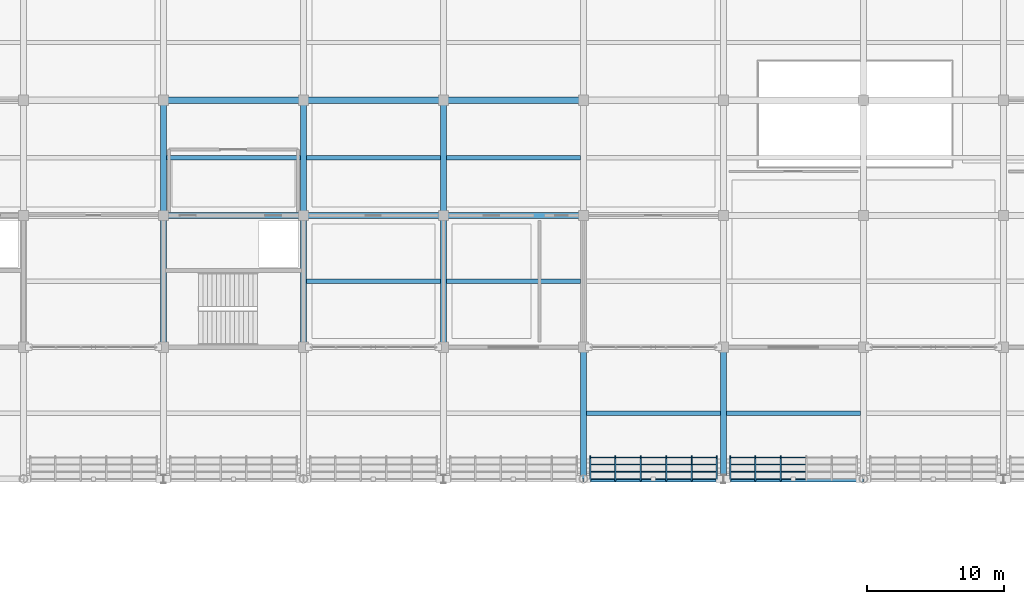
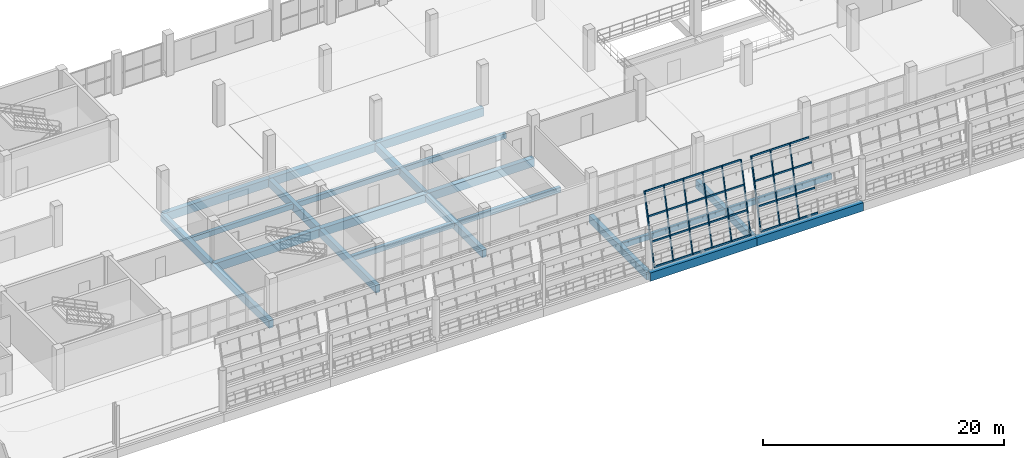
# One storey, part 41 of 157: 41 members, 23 beams, 2 elements without a shape of their own.
"""IFC4 building model written with IfcOpenShell, lengths in metres."""

from ifc_helpers import new_model, si_unit, direction, frame, origin, origin_2d, place, context, subcontext, project, spatial, rectangle, hollow_rectangle, extrude, material, material_profile, profile_set, type_object, element, aggregate, save


model = new_model("IFC4")

# Units and contexts
model_context = context("Model", 3, precision=1e-05, world=origin(), true_north=direction((0.0, 1.0)))
body_context = subcontext(model_context, "Body", "Model", "MODEL_VIEW")
ifc_project = project(units=[si_unit("LENGTHUNIT", "METRE"), si_unit("AREAUNIT", "SQUARE_METRE"), si_unit("VOLUMEUNIT", "CUBIC_METRE"), si_unit("PLANEANGLEUNIT", "RADIAN"), si_unit("MASSUNIT", "GRAM", prefix="KILO")], contexts=[model_context])

# Site, building, storey
site_placement = place(None, origin())
site = spatial("IfcSite", under=ifc_project, at=site_placement, CompositionType="ELEMENT")
building_placement = place(site_placement, origin())
building = spatial("IfcBuilding", under=site, at=building_placement, Name="Brelvane Convention Centre", CompositionType="ELEMENT")
storey_placement = place(building_placement, frame((0.0, 0.0, 10.800048828125)))
storey = spatial("IfcBuildingStorey", under=building, at=storey_placement, Name="L02", CompositionType="ELEMENT", Elevation=10.800048828125)

# Curtain wall, members
ifc_material_1 = material(Name="Anodised Aluminium Alloy 6063-T6", Category="aluminium")
curtain_wall_type = type_object("IfcCurtainWallType", Name="Curtain Wall CW-HULL-N", PredefinedType="USERDEFINED", material=ifc_material_1)
curtain_wall_1_placement = place(storey_placement, origin())
curtain_wall_1 = element("IfcCurtainWall", 1, at=curtain_wall_1_placement, inside=storey, type_object=curtain_wall_type, Name="Curtain Wall CW-HULL-N L02-V1N-HULL-07", ObjectType="UNITISED", PredefinedType="USERDEFINED")
ifc_material_2 = material(Name="Anodised Aluminium Alloy 6063-T6", Category="aluminium")
ifc_material_profile_1 = material_profile(ifc_material_2, hollow_rectangle(XDim=0.080078125, YDim=0.239990234375, WallThickness=0.006103515625, InnerFilletRadius=0.006103515625, OuterFilletRadius=0.011962890625, at=origin_2d()), Name="ALU-M 240x80x6.0")
ifc_profile_set_1 = profile_set([ifc_material_profile_1], Name="Anodised Aluminium Alloy 6063-T6")
member_type_1 = type_object("IfcMemberType", Name="Curtain Mullion CW-M1", PredefinedType="MULLION", material=ifc_profile_set_1)
member_1_placement = place(storey_placement, frame((61.68994140625, 99.60009765625, 0.0), z_axis=(0.0, 0.228324840492, 0.973585007698), x_axis=(-1.0, 0.0, 0.0)))
member_1 = element("IfcMember", 2, at=member_1_placement, type_object=member_type_1, Name="CW-HULL-N mullion 1", PredefinedType="MULLION", context=body_context, shape_type="SweptSolid", body=[
    extrude(hollow_rectangle(XDim=0.080078125, YDim=0.239990234375, WallThickness=0.006103515625, InnerFilletRadius=0.006103515625, OuterFilletRadius=0.011962890625, at=origin_2d()), origin(), (0.0, 0.0, 1.0), 6.93310546875),
])
member_2_placement = place(storey_placement, frame((63.510009765625, 99.60009765625, 0.0), z_axis=(0.0, 0.228324840492, 0.973585007698), x_axis=(-1.0, 0.0, 0.0)))
member_2 = element("IfcMember", 3, at=member_2_placement, type_object=member_type_1, Name="CW-HULL-N mullion 2", PredefinedType="MULLION", context=body_context, shape_type="SweptSolid", body=[
    extrude(hollow_rectangle(XDim=0.080078125, YDim=0.239990234375, WallThickness=0.006103515625, InnerFilletRadius=0.006103515625, OuterFilletRadius=0.011962890625, at=origin_2d()), origin(), (0.0, 0.0, 1.0), 6.93310546875),
])
member_3_placement = place(storey_placement, frame((65.3701171875, 99.60009765625, 0.0), z_axis=(0.0, 0.228324840492, 0.973585007698), x_axis=(-1.0, 0.0, 0.0)))
member_3 = element("IfcMember", 4, at=member_3_placement, type_object=member_type_1, Name="CW-HULL-N mullion 3", PredefinedType="MULLION", context=body_context, shape_type="SweptSolid", body=[
    extrude(hollow_rectangle(XDim=0.080078125, YDim=0.239990234375, WallThickness=0.006103515625, InnerFilletRadius=0.006103515625, OuterFilletRadius=0.011962890625, at=origin_2d()), origin(), (0.0, 0.0, 1.0), 6.93310546875),
])
member_4_placement = place(storey_placement, frame((67.22998046875, 99.60009765625, 0.0), z_axis=(0.0, 0.228324840492, 0.973585007698), x_axis=(-1.0, 0.0, 0.0)))
member_4 = element("IfcMember", 5, at=member_4_placement, type_object=member_type_1, Name="CW-HULL-N mullion 4", PredefinedType="MULLION", context=body_context, shape_type="SweptSolid", body=[
    extrude(hollow_rectangle(XDim=0.080078125, YDim=0.239990234375, WallThickness=0.006103515625, InnerFilletRadius=0.006103515625, OuterFilletRadius=0.011962890625, at=origin_2d()), origin(), (0.0, 0.0, 1.0), 6.93310546875),
])
member_5_placement = place(storey_placement, frame((69.090087890625, 99.60009765625, 0.0), z_axis=(0.0, 0.228324840492, 0.973585007698), x_axis=(-1.0, 0.0, 0.0)))
member_5 = element("IfcMember", 6, at=member_5_placement, type_object=member_type_1, Name="CW-HULL-N mullion 5", PredefinedType="MULLION", context=body_context, shape_type="SweptSolid", body=[
    extrude(hollow_rectangle(XDim=0.080078125, YDim=0.239990234375, WallThickness=0.006103515625, InnerFilletRadius=0.006103515625, OuterFilletRadius=0.011962890625, at=origin_2d()), origin(), (0.0, 0.0, 1.0), 6.93310546875),
])
member_6_placement = place(storey_placement, frame((70.909912109375, 99.60009765625, 0.0), z_axis=(0.0, 0.228324840492, 0.973585007698), x_axis=(-1.0, 0.0, 0.0)))
member_6 = element("IfcMember", 7, at=member_6_placement, type_object=member_type_1, Name="CW-HULL-N mullion 6", PredefinedType="MULLION", context=body_context, shape_type="SweptSolid", body=[
    extrude(hollow_rectangle(XDim=0.080078125, YDim=0.239990234375, WallThickness=0.006103515625, InnerFilletRadius=0.006103515625, OuterFilletRadius=0.011962890625, at=origin_2d()), origin(), (0.0, 0.0, 1.0), 6.93310546875),
])

curtain_wall_2_placement = place(storey_placement, origin())
curtain_wall_2 = element("IfcCurtainWall", 8, at=curtain_wall_2_placement, inside=storey, type_object=curtain_wall_type, Name="Curtain Wall CW-HULL-N L02-V1N-HULL-08", ObjectType="UNITISED", PredefinedType="USERDEFINED")
member_7_placement = place(storey_placement, frame((71.889892578125, 99.60009765625, 0.0), z_axis=(0.0, 0.228324840492, 0.973585007698), x_axis=(-1.0, 0.0, 0.0)))
member_7 = element("IfcMember", 9, at=member_7_placement, type_object=member_type_1, Name="CW-HULL-N mullion 1", PredefinedType="MULLION", context=body_context, shape_type="SweptSolid", body=[
    extrude(hollow_rectangle(XDim=0.080078125, YDim=0.239990234375, WallThickness=0.006103515625, InnerFilletRadius=0.006103515625, OuterFilletRadius=0.011962890625, at=origin_2d()), origin(), (0.0, 0.0, 1.0), 6.93310546875),
])
member_8_placement = place(storey_placement, frame((73.7099609375, 99.60009765625, 0.0), z_axis=(0.0, 0.228324840492, 0.973585007698), x_axis=(-1.0, 0.0, 0.0)))
member_8 = element("IfcMember", 10, at=member_8_placement, type_object=member_type_1, Name="CW-HULL-N mullion 2", PredefinedType="MULLION", context=body_context, shape_type="SweptSolid", body=[
    extrude(hollow_rectangle(XDim=0.080078125, YDim=0.239990234375, WallThickness=0.006103515625, InnerFilletRadius=0.006103515625, OuterFilletRadius=0.011962890625, at=origin_2d()), origin(), (0.0, 0.0, 1.0), 6.93310546875),
])
member_9_placement = place(storey_placement, frame((75.570068359375, 99.60009765625, 0.0), z_axis=(0.0, 0.228324840492, 0.973585007698), x_axis=(-1.0, 0.0, 0.0)))
member_9 = element("IfcMember", 11, at=member_9_placement, type_object=member_type_1, Name="CW-HULL-N mullion 3", PredefinedType="MULLION", context=body_context, shape_type="SweptSolid", body=[
    extrude(hollow_rectangle(XDim=0.080078125, YDim=0.239990234375, WallThickness=0.006103515625, InnerFilletRadius=0.006103515625, OuterFilletRadius=0.011962890625, at=origin_2d()), origin(), (0.0, 0.0, 1.0), 6.93310546875),
])

# Member
ifc_material_3 = material(Name="Anodised Aluminium Alloy 6063-T6", Category="aluminium")
ifc_material_profile_2 = material_profile(ifc_material_3, hollow_rectangle(XDim=0.080078125, YDim=0.179931640625, WallThickness=0.0048828125, InnerFilletRadius=0.0048828125, OuterFilletRadius=0.010009765625, at=origin_2d()), Name="ALU-T 180x80x5.0")
ifc_profile_set_2 = profile_set([ifc_material_profile_2], Name="Anodised Aluminium Alloy 6063-T6")
member_type_2 = type_object("IfcMemberType", Name="Curtain Transom CW-T1", PredefinedType="USERDEFINED", material=ifc_profile_set_2)
member_10_placement = place(storey_placement, frame((61.72998046875, 99.609375, 0.0400390625), z_axis=(1.0, 0.0, 0.0), x_axis=(0.0, 1.0, 0.0)))
member_10 = element("IfcMember", 12, at=member_10_placement, type_object=member_type_2, Name="CW-HULL-N transom 1.1", ObjectType="TRANSOM", PredefinedType="USERDEFINED", context=body_context, shape_type="SweptSolid", body=[
    extrude(hollow_rectangle(XDim=0.080078125, YDim=0.179931640625, WallThickness=0.0048828125, InnerFilletRadius=0.0048828125, OuterFilletRadius=0.010009765625, at=origin_2d()), origin(), (0.0, 0.0, 1.0), 1.739990234375),
])

member_11_placement = place(storey_placement, frame((61.72998046875, 100.127685546875, 2.25), z_axis=(1.0, 0.0, 0.0), x_axis=(0.0, 1.0, 0.0)))
member_11 = element("IfcMember", 13, at=member_11_placement, type_object=member_type_2, Name="CW-HULL-N transom 1.2", ObjectType="TRANSOM", PredefinedType="USERDEFINED", context=body_context, shape_type="SweptSolid", body=[
    extrude(hollow_rectangle(XDim=0.080078125, YDim=0.179931640625, WallThickness=0.0048828125, InnerFilletRadius=0.0048828125, OuterFilletRadius=0.010009765625, at=origin_2d()), origin(), (0.0, 0.0, 1.0), 1.739990234375),
])

member_12_placement = place(storey_placement, frame((61.72998046875, 100.655517578125, 4.5), z_axis=(1.0, 0.0, 0.0), x_axis=(0.0, 1.0, 0.0)))
member_12 = element("IfcMember", 14, at=member_12_placement, type_object=member_type_2, Name="CW-HULL-N transom 1.3", ObjectType="TRANSOM", PredefinedType="USERDEFINED", context=body_context, shape_type="SweptSolid", body=[
    extrude(hollow_rectangle(XDim=0.080078125, YDim=0.179931640625, WallThickness=0.0048828125, InnerFilletRadius=0.0048828125, OuterFilletRadius=0.010009765625, at=origin_2d()), origin(), (0.0, 0.0, 1.0), 1.739990234375),
])

member_13_placement = place(storey_placement, frame((61.72998046875, 101.173828125, 6.7099609375), z_axis=(1.0, 0.0, 0.0), x_axis=(0.0, 1.0, 0.0)))
member_13 = element("IfcMember", 15, at=member_13_placement, type_object=member_type_2, Name="CW-HULL-N transom 1.4", ObjectType="TRANSOM", PredefinedType="USERDEFINED", context=body_context, shape_type="SweptSolid", body=[
    extrude(hollow_rectangle(XDim=0.080078125, YDim=0.179931640625, WallThickness=0.0048828125, InnerFilletRadius=0.0048828125, OuterFilletRadius=0.010009765625, at=origin_2d()), origin(), (0.0, 0.0, 1.0), 1.739990234375),
])

member_14_placement = place(storey_placement, frame((63.550048828125, 99.609375, 0.0400390625), z_axis=(1.0, 0.0, 0.0), x_axis=(0.0, 1.0, 0.0)))
member_14 = element("IfcMember", 16, at=member_14_placement, type_object=member_type_2, Name="CW-HULL-N transom 2.1", ObjectType="TRANSOM", PredefinedType="USERDEFINED", context=body_context, shape_type="SweptSolid", body=[
    extrude(hollow_rectangle(XDim=0.080078125, YDim=0.179931640625, WallThickness=0.0048828125, InnerFilletRadius=0.0048828125, OuterFilletRadius=0.010009765625, at=origin_2d()), origin(), (0.0, 0.0, 1.0), 1.780029296875),
])

member_15_placement = place(storey_placement, frame((63.550048828125, 100.127685546875, 2.25), z_axis=(1.0, 0.0, 0.0), x_axis=(0.0, 1.0, 0.0)))
member_15 = element("IfcMember", 17, at=member_15_placement, type_object=member_type_2, Name="CW-HULL-N transom 2.2", ObjectType="TRANSOM", PredefinedType="USERDEFINED", context=body_context, shape_type="SweptSolid", body=[
    extrude(hollow_rectangle(XDim=0.080078125, YDim=0.179931640625, WallThickness=0.0048828125, InnerFilletRadius=0.0048828125, OuterFilletRadius=0.010009765625, at=origin_2d()), origin(), (0.0, 0.0, 1.0), 1.780029296875),
])

member_16_placement = place(storey_placement, frame((63.550048828125, 100.655517578125, 4.5), z_axis=(1.0, 0.0, 0.0), x_axis=(0.0, 1.0, 0.0)))
member_16 = element("IfcMember", 18, at=member_16_placement, type_object=member_type_2, Name="CW-HULL-N transom 2.3", ObjectType="TRANSOM", PredefinedType="USERDEFINED", context=body_context, shape_type="SweptSolid", body=[
    extrude(hollow_rectangle(XDim=0.080078125, YDim=0.179931640625, WallThickness=0.0048828125, InnerFilletRadius=0.0048828125, OuterFilletRadius=0.010009765625, at=origin_2d()), origin(), (0.0, 0.0, 1.0), 1.780029296875),
])

member_17_placement = place(storey_placement, frame((63.550048828125, 101.173828125, 6.7099609375), z_axis=(1.0, 0.0, 0.0), x_axis=(0.0, 1.0, 0.0)))
member_17 = element("IfcMember", 19, at=member_17_placement, type_object=member_type_2, Name="CW-HULL-N transom 2.4", ObjectType="TRANSOM", PredefinedType="USERDEFINED", context=body_context, shape_type="SweptSolid", body=[
    extrude(hollow_rectangle(XDim=0.080078125, YDim=0.179931640625, WallThickness=0.0048828125, InnerFilletRadius=0.0048828125, OuterFilletRadius=0.010009765625, at=origin_2d()), origin(), (0.0, 0.0, 1.0), 1.780029296875),
])

member_18_placement = place(storey_placement, frame((65.409912109375, 99.609375, 0.0400390625), z_axis=(1.0, 0.0, 0.0), x_axis=(0.0, 1.0, 0.0)))
member_18 = element("IfcMember", 20, at=member_18_placement, type_object=member_type_2, Name="CW-HULL-N transom 3.1", ObjectType="TRANSOM", PredefinedType="USERDEFINED", context=body_context, shape_type="SweptSolid", body=[
    extrude(hollow_rectangle(XDim=0.080078125, YDim=0.179931640625, WallThickness=0.0048828125, InnerFilletRadius=0.0048828125, OuterFilletRadius=0.010009765625, at=origin_2d()), origin(), (0.0, 0.0, 1.0), 1.780029296875),
])

member_19_placement = place(storey_placement, frame((65.409912109375, 100.127685546875, 2.25), z_axis=(1.0, 0.0, 0.0), x_axis=(0.0, 1.0, 0.0)))
member_19 = element("IfcMember", 21, at=member_19_placement, type_object=member_type_2, Name="CW-HULL-N transom 3.2", ObjectType="TRANSOM", PredefinedType="USERDEFINED", context=body_context, shape_type="SweptSolid", body=[
    extrude(hollow_rectangle(XDim=0.080078125, YDim=0.179931640625, WallThickness=0.0048828125, InnerFilletRadius=0.0048828125, OuterFilletRadius=0.010009765625, at=origin_2d()), origin(), (0.0, 0.0, 1.0), 1.780029296875),
])

member_20_placement = place(storey_placement, frame((65.409912109375, 100.655517578125, 4.5), z_axis=(1.0, 0.0, 0.0), x_axis=(0.0, 1.0, 0.0)))
member_20 = element("IfcMember", 22, at=member_20_placement, type_object=member_type_2, Name="CW-HULL-N transom 3.3", ObjectType="TRANSOM", PredefinedType="USERDEFINED", context=body_context, shape_type="SweptSolid", body=[
    extrude(hollow_rectangle(XDim=0.080078125, YDim=0.179931640625, WallThickness=0.0048828125, InnerFilletRadius=0.0048828125, OuterFilletRadius=0.010009765625, at=origin_2d()), origin(), (0.0, 0.0, 1.0), 1.780029296875),
])

member_21_placement = place(storey_placement, frame((65.409912109375, 101.173828125, 6.7099609375), z_axis=(1.0, 0.0, 0.0), x_axis=(0.0, 1.0, 0.0)))
member_21 = element("IfcMember", 23, at=member_21_placement, type_object=member_type_2, Name="CW-HULL-N transom 3.4", ObjectType="TRANSOM", PredefinedType="USERDEFINED", context=body_context, shape_type="SweptSolid", body=[
    extrude(hollow_rectangle(XDim=0.080078125, YDim=0.179931640625, WallThickness=0.0048828125, InnerFilletRadius=0.0048828125, OuterFilletRadius=0.010009765625, at=origin_2d()), origin(), (0.0, 0.0, 1.0), 1.780029296875),
])

member_22_placement = place(storey_placement, frame((67.27001953125, 99.609375, 0.0400390625), z_axis=(1.0, 0.0, 0.0), x_axis=(0.0, 1.0, 0.0)))
member_22 = element("IfcMember", 24, at=member_22_placement, type_object=member_type_2, Name="CW-HULL-N transom 4.1", ObjectType="TRANSOM", PredefinedType="USERDEFINED", context=body_context, shape_type="SweptSolid", body=[
    extrude(hollow_rectangle(XDim=0.080078125, YDim=0.179931640625, WallThickness=0.0048828125, InnerFilletRadius=0.0048828125, OuterFilletRadius=0.010009765625, at=origin_2d()), origin(), (0.0, 0.0, 1.0), 1.780029296875),
])

member_23_placement = place(storey_placement, frame((67.27001953125, 100.127685546875, 2.25), z_axis=(1.0, 0.0, 0.0), x_axis=(0.0, 1.0, 0.0)))
member_23 = element("IfcMember", 25, at=member_23_placement, type_object=member_type_2, Name="CW-HULL-N transom 4.2", ObjectType="TRANSOM", PredefinedType="USERDEFINED", context=body_context, shape_type="SweptSolid", body=[
    extrude(hollow_rectangle(XDim=0.080078125, YDim=0.179931640625, WallThickness=0.0048828125, InnerFilletRadius=0.0048828125, OuterFilletRadius=0.010009765625, at=origin_2d()), origin(), (0.0, 0.0, 1.0), 1.780029296875),
])

member_24_placement = place(storey_placement, frame((67.27001953125, 100.655517578125, 4.5), z_axis=(1.0, 0.0, 0.0), x_axis=(0.0, 1.0, 0.0)))
member_24 = element("IfcMember", 26, at=member_24_placement, type_object=member_type_2, Name="CW-HULL-N transom 4.3", ObjectType="TRANSOM", PredefinedType="USERDEFINED", context=body_context, shape_type="SweptSolid", body=[
    extrude(hollow_rectangle(XDim=0.080078125, YDim=0.179931640625, WallThickness=0.0048828125, InnerFilletRadius=0.0048828125, OuterFilletRadius=0.010009765625, at=origin_2d()), origin(), (0.0, 0.0, 1.0), 1.780029296875),
])

member_25_placement = place(storey_placement, frame((67.27001953125, 101.173828125, 6.7099609375), z_axis=(1.0, 0.0, 0.0), x_axis=(0.0, 1.0, 0.0)))
member_25 = element("IfcMember", 27, at=member_25_placement, type_object=member_type_2, Name="CW-HULL-N transom 4.4", ObjectType="TRANSOM", PredefinedType="USERDEFINED", context=body_context, shape_type="SweptSolid", body=[
    extrude(hollow_rectangle(XDim=0.080078125, YDim=0.179931640625, WallThickness=0.0048828125, InnerFilletRadius=0.0048828125, OuterFilletRadius=0.010009765625, at=origin_2d()), origin(), (0.0, 0.0, 1.0), 1.780029296875),
])

member_26_placement = place(storey_placement, frame((69.1298828125, 99.609375, 0.0400390625), z_axis=(1.0, 0.0, 0.0), x_axis=(0.0, 1.0, 0.0)))
member_26 = element("IfcMember", 28, at=member_26_placement, type_object=member_type_2, Name="CW-HULL-N transom 5.1", ObjectType="TRANSOM", PredefinedType="USERDEFINED", context=body_context, shape_type="SweptSolid", body=[
    extrude(hollow_rectangle(XDim=0.080078125, YDim=0.179931640625, WallThickness=0.0048828125, InnerFilletRadius=0.0048828125, OuterFilletRadius=0.010009765625, at=origin_2d()), origin(), (0.0, 0.0, 1.0), 1.740234375),
])

member_27_placement = place(storey_placement, frame((69.1298828125, 100.127685546875, 2.25), z_axis=(1.0, 0.0, 0.0), x_axis=(0.0, 1.0, 0.0)))
member_27 = element("IfcMember", 29, at=member_27_placement, type_object=member_type_2, Name="CW-HULL-N transom 5.2", ObjectType="TRANSOM", PredefinedType="USERDEFINED", context=body_context, shape_type="SweptSolid", body=[
    extrude(hollow_rectangle(XDim=0.080078125, YDim=0.179931640625, WallThickness=0.0048828125, InnerFilletRadius=0.0048828125, OuterFilletRadius=0.010009765625, at=origin_2d()), origin(), (0.0, 0.0, 1.0), 1.740234375),
])

member_28_placement = place(storey_placement, frame((69.1298828125, 100.655517578125, 4.5), z_axis=(1.0, 0.0, 0.0), x_axis=(0.0, 1.0, 0.0)))
member_28 = element("IfcMember", 30, at=member_28_placement, type_object=member_type_2, Name="CW-HULL-N transom 5.3", ObjectType="TRANSOM", PredefinedType="USERDEFINED", context=body_context, shape_type="SweptSolid", body=[
    extrude(hollow_rectangle(XDim=0.080078125, YDim=0.179931640625, WallThickness=0.0048828125, InnerFilletRadius=0.0048828125, OuterFilletRadius=0.010009765625, at=origin_2d()), origin(), (0.0, 0.0, 1.0), 1.740234375),
])

member_29_placement = place(storey_placement, frame((69.1298828125, 101.173828125, 6.7099609375), z_axis=(1.0, 0.0, 0.0), x_axis=(0.0, 1.0, 0.0)))
member_29 = element("IfcMember", 31, at=member_29_placement, type_object=member_type_2, Name="CW-HULL-N transom 5.4", ObjectType="TRANSOM", PredefinedType="USERDEFINED", context=body_context, shape_type="SweptSolid", body=[
    extrude(hollow_rectangle(XDim=0.080078125, YDim=0.179931640625, WallThickness=0.0048828125, InnerFilletRadius=0.0048828125, OuterFilletRadius=0.010009765625, at=origin_2d()), origin(), (0.0, 0.0, 1.0), 1.740234375),
])

aggregate(curtain_wall_1, [member_1, member_2, member_3, member_4, member_5, member_6, member_10, member_11, member_12, member_13, member_14, member_15, member_16, member_17, member_18, member_19, member_20, member_21, member_22, member_23, member_24, member_25, member_26, member_27, member_28, member_29])

member_30_placement = place(storey_placement, frame((71.929931640625, 99.609375, 0.0400390625), z_axis=(1.0, 0.0, 0.0), x_axis=(0.0, 1.0, 0.0)))
member_30 = element("IfcMember", 32, at=member_30_placement, type_object=member_type_2, Name="CW-HULL-N transom 1.1", ObjectType="TRANSOM", PredefinedType="USERDEFINED", context=body_context, shape_type="SweptSolid", body=[
    extrude(hollow_rectangle(XDim=0.080078125, YDim=0.179931640625, WallThickness=0.0048828125, InnerFilletRadius=0.0048828125, OuterFilletRadius=0.010009765625, at=origin_2d()), origin(), (0.0, 0.0, 1.0), 1.739990234375),
])

member_31_placement = place(storey_placement, frame((71.929931640625, 100.127685546875, 2.25), z_axis=(1.0, 0.0, 0.0), x_axis=(0.0, 1.0, 0.0)))
member_31 = element("IfcMember", 33, at=member_31_placement, type_object=member_type_2, Name="CW-HULL-N transom 1.2", ObjectType="TRANSOM", PredefinedType="USERDEFINED", context=body_context, shape_type="SweptSolid", body=[
    extrude(hollow_rectangle(XDim=0.080078125, YDim=0.179931640625, WallThickness=0.0048828125, InnerFilletRadius=0.0048828125, OuterFilletRadius=0.010009765625, at=origin_2d()), origin(), (0.0, 0.0, 1.0), 1.739990234375),
])

member_32_placement = place(storey_placement, frame((71.929931640625, 100.655517578125, 4.5), z_axis=(1.0, 0.0, 0.0), x_axis=(0.0, 1.0, 0.0)))
member_32 = element("IfcMember", 34, at=member_32_placement, type_object=member_type_2, Name="CW-HULL-N transom 1.3", ObjectType="TRANSOM", PredefinedType="USERDEFINED", context=body_context, shape_type="SweptSolid", body=[
    extrude(hollow_rectangle(XDim=0.080078125, YDim=0.179931640625, WallThickness=0.0048828125, InnerFilletRadius=0.0048828125, OuterFilletRadius=0.010009765625, at=origin_2d()), origin(), (0.0, 0.0, 1.0), 1.739990234375),
])

member_33_placement = place(storey_placement, frame((71.929931640625, 101.173828125, 6.7099609375), z_axis=(1.0, 0.0, 0.0), x_axis=(0.0, 1.0, 0.0)))
member_33 = element("IfcMember", 35, at=member_33_placement, type_object=member_type_2, Name="CW-HULL-N transom 1.4", ObjectType="TRANSOM", PredefinedType="USERDEFINED", context=body_context, shape_type="SweptSolid", body=[
    extrude(hollow_rectangle(XDim=0.080078125, YDim=0.179931640625, WallThickness=0.0048828125, InnerFilletRadius=0.0048828125, OuterFilletRadius=0.010009765625, at=origin_2d()), origin(), (0.0, 0.0, 1.0), 1.739990234375),
])

member_34_placement = place(storey_placement, frame((73.75, 99.609375, 0.0400390625), z_axis=(1.0, 0.0, 0.0), x_axis=(0.0, 1.0, 0.0)))
member_34 = element("IfcMember", 36, at=member_34_placement, type_object=member_type_2, Name="CW-HULL-N transom 2.1", ObjectType="TRANSOM", PredefinedType="USERDEFINED", context=body_context, shape_type="SweptSolid", body=[
    extrude(hollow_rectangle(XDim=0.080078125, YDim=0.179931640625, WallThickness=0.0048828125, InnerFilletRadius=0.0048828125, OuterFilletRadius=0.010009765625, at=origin_2d()), origin(), (0.0, 0.0, 1.0), 1.780029296875),
])

member_35_placement = place(storey_placement, frame((73.75, 100.127685546875, 2.25), z_axis=(1.0, 0.0, 0.0), x_axis=(0.0, 1.0, 0.0)))
member_35 = element("IfcMember", 37, at=member_35_placement, type_object=member_type_2, Name="CW-HULL-N transom 2.2", ObjectType="TRANSOM", PredefinedType="USERDEFINED", context=body_context, shape_type="SweptSolid", body=[
    extrude(hollow_rectangle(XDim=0.080078125, YDim=0.179931640625, WallThickness=0.0048828125, InnerFilletRadius=0.0048828125, OuterFilletRadius=0.010009765625, at=origin_2d()), origin(), (0.0, 0.0, 1.0), 1.780029296875),
])

member_36_placement = place(storey_placement, frame((73.75, 100.655517578125, 4.5), z_axis=(1.0, 0.0, 0.0), x_axis=(0.0, 1.0, 0.0)))
member_36 = element("IfcMember", 38, at=member_36_placement, type_object=member_type_2, Name="CW-HULL-N transom 2.3", ObjectType="TRANSOM", PredefinedType="USERDEFINED", context=body_context, shape_type="SweptSolid", body=[
    extrude(hollow_rectangle(XDim=0.080078125, YDim=0.179931640625, WallThickness=0.0048828125, InnerFilletRadius=0.0048828125, OuterFilletRadius=0.010009765625, at=origin_2d()), origin(), (0.0, 0.0, 1.0), 1.780029296875),
])

member_37_placement = place(storey_placement, frame((73.75, 101.173828125, 6.7099609375), z_axis=(1.0, 0.0, 0.0), x_axis=(0.0, 1.0, 0.0)))
member_37 = element("IfcMember", 39, at=member_37_placement, type_object=member_type_2, Name="CW-HULL-N transom 2.4", ObjectType="TRANSOM", PredefinedType="USERDEFINED", context=body_context, shape_type="SweptSolid", body=[
    extrude(hollow_rectangle(XDim=0.080078125, YDim=0.179931640625, WallThickness=0.0048828125, InnerFilletRadius=0.0048828125, OuterFilletRadius=0.010009765625, at=origin_2d()), origin(), (0.0, 0.0, 1.0), 1.780029296875),
])

member_38_placement = place(storey_placement, frame((75.610107421875, 99.609375, 0.0400390625), z_axis=(1.0, 0.0, 0.0), x_axis=(0.0, 1.0, 0.0)))
member_38 = element("IfcMember", 40, at=member_38_placement, type_object=member_type_2, Name="CW-HULL-N transom 3.1", ObjectType="TRANSOM", PredefinedType="USERDEFINED", context=body_context, shape_type="SweptSolid", body=[
    extrude(hollow_rectangle(XDim=0.080078125, YDim=0.179931640625, WallThickness=0.0048828125, InnerFilletRadius=0.0048828125, OuterFilletRadius=0.010009765625, at=origin_2d()), origin(), (0.0, 0.0, 1.0), 1.77978515625),
])

member_39_placement = place(storey_placement, frame((75.610107421875, 100.127685546875, 2.25), z_axis=(1.0, 0.0, 0.0), x_axis=(0.0, 1.0, 0.0)))
member_39 = element("IfcMember", 41, at=member_39_placement, type_object=member_type_2, Name="CW-HULL-N transom 3.2", ObjectType="TRANSOM", PredefinedType="USERDEFINED", context=body_context, shape_type="SweptSolid", body=[
    extrude(hollow_rectangle(XDim=0.080078125, YDim=0.179931640625, WallThickness=0.0048828125, InnerFilletRadius=0.0048828125, OuterFilletRadius=0.010009765625, at=origin_2d()), origin(), (0.0, 0.0, 1.0), 1.77978515625),
])

member_40_placement = place(storey_placement, frame((75.610107421875, 100.655517578125, 4.5), z_axis=(1.0, 0.0, 0.0), x_axis=(0.0, 1.0, 0.0)))
member_40 = element("IfcMember", 42, at=member_40_placement, type_object=member_type_2, Name="CW-HULL-N transom 3.3", ObjectType="TRANSOM", PredefinedType="USERDEFINED", context=body_context, shape_type="SweptSolid", body=[
    extrude(hollow_rectangle(XDim=0.080078125, YDim=0.179931640625, WallThickness=0.0048828125, InnerFilletRadius=0.0048828125, OuterFilletRadius=0.010009765625, at=origin_2d()), origin(), (0.0, 0.0, 1.0), 1.77978515625),
])

member_41_placement = place(storey_placement, frame((75.610107421875, 101.173828125, 6.7099609375), z_axis=(1.0, 0.0, 0.0), x_axis=(0.0, 1.0, 0.0)))
member_41 = element("IfcMember", 43, at=member_41_placement, type_object=member_type_2, Name="CW-HULL-N transom 3.4", ObjectType="TRANSOM", PredefinedType="USERDEFINED", context=body_context, shape_type="SweptSolid", body=[
    extrude(hollow_rectangle(XDim=0.080078125, YDim=0.179931640625, WallThickness=0.0048828125, InnerFilletRadius=0.0048828125, OuterFilletRadius=0.010009765625, at=origin_2d()), origin(), (0.0, 0.0, 1.0), 1.77978515625),
])

aggregate(curtain_wall_2, [member_7, member_8, member_9, member_30, member_31, member_32, member_33, member_34, member_35, member_36, member_37, member_38, member_39, member_40, member_41])

# Beams
ifc_material_4 = material(Name="Concrete M40", Category="concrete")
ifc_material_profile_3 = material_profile(ifc_material_4, rectangle(XDim=0.4599609375, YDim=0.840087890625, at=origin_2d()), Name="RC 460x840")
ifc_profile_set_3 = profile_set([ifc_material_profile_3], Name="Concrete M40")
beam_type_1 = type_object("IfcBeamType", Name="RC Beam B-RC11 (RC 460x840)", PredefinedType="BEAM", material=ifc_profile_set_3)
for number, where, z_axis, x_axis, name in (
    (44, (30.60009765625, 118.800048828125, -0.699951171875), (1.0, 0.0, 0.0), (0.0, 1.0, 0.0), "L02 Beam 4-5/M"),
    (45, (30.60009765625, 127.199951171875, -0.699951171875), (1.0, 0.0, 0.0), (0.0, 1.0, 0.0), "L02 Beam 4-5/N"),
    (46, (40.800048828125, 118.800048828125, -0.699951171875), (1.0, 0.0, 0.0), (0.0, 1.0, 0.0), "L02 Beam 5-6/M"),
    (47, (40.800048828125, 127.199951171875, -0.699951171875), (1.0, 0.0, 0.0), (0.0, 1.0, 0.0), "L02 Beam 5-6/N"),
    (48, (51.0, 118.800048828125, -0.699951171875), (1.0, 0.0, 0.0), (0.0, 1.0, 0.0), "L02 Beam 6-7/M"),
    (49, (51.0, 127.199951171875, -0.699951171875), (1.0, 0.0, 0.0), (0.0, 1.0, 0.0), "L02 Beam 6-7/N"),
    (50, (61.199951171875, 99.60009765625, -0.699951171875), (1.0, 0.0, 0.0), (0.0, 1.0, 0.0), "L02 Beam 7-8/K"),
):
    element("IfcBeam", number, at=place(storey_placement, frame(where, z_axis=z_axis, x_axis=x_axis)), inside=storey, type_object=beam_type_1, Name=name, PredefinedType="BEAM", context=body_context, shape_type="SweptSolid", body=[
        extrude(rectangle(XDim=0.4599609375, YDim=0.840087890625, at=origin_2d()), origin(), (0.0, 0.0, 1.0), 10.199951171875),
    ])
beam_1_placement = place(storey_placement, frame((71.39990234375, 99.60009765625, -0.699951171875), z_axis=(1.0, 0.0, 0.0), x_axis=(0.0, 1.0, 0.0)))
element("IfcBeam", 51, at=beam_1_placement, inside=storey, type_object=beam_type_1, Name="L02 Beam 8-9/K", PredefinedType="BEAM", context=body_context, shape_type="SweptSolid", body=[
    extrude(rectangle(XDim=0.4599609375, YDim=0.840087890625, at=origin_2d()), origin(), (0.0, 0.0, 1.0), 10.2001953125),
])
ifc_material_5 = material(Name="Concrete M40", Category="concrete")
ifc_material_profile_4 = material_profile(ifc_material_5, rectangle(XDim=0.419921875, YDim=0.780029296875, at=origin_2d()), Name="RC 420x780")
ifc_profile_set_4 = profile_set([ifc_material_profile_4], Name="Concrete M40")
beam_type_2 = type_object("IfcBeamType", Name="RC Beam B-RC12 (RC 420x780)", PredefinedType="BEAM", material=ifc_profile_set_4)
beam_2_placement = place(storey_placement, frame((30.60009765625, 109.199951171875, -0.670166015625), z_axis=(0.0, 1.0, 0.0), x_axis=(-1.0, 0.0, 0.0)))
element("IfcBeam", 52, at=beam_2_placement, inside=storey, type_object=beam_type_2, Name="L02 Girder 4/L-M", PredefinedType="BEAM", context=body_context, shape_type="SweptSolid", body=[
    extrude(rectangle(XDim=0.419921875, YDim=0.780029296875, at=origin_2d()), origin(), (0.0, 0.0, 1.0), 9.60009765625),
])
beam_3_placement = place(storey_placement, frame((30.60009765625, 118.800048828125, -0.670166015625), z_axis=(0.0, 1.0, 0.0), x_axis=(-1.0, 0.0, 0.0)))
element("IfcBeam", 53, at=beam_3_placement, inside=storey, type_object=beam_type_2, Name="L02 Girder 4/M-N", PredefinedType="BEAM", context=body_context, shape_type="SweptSolid", body=[
    extrude(rectangle(XDim=0.419921875, YDim=0.780029296875, at=origin_2d()), origin(), (0.0, 0.0, 1.0), 8.39990234375),
])
beam_4_placement = place(storey_placement, frame((40.800048828125, 109.199951171875, -0.670166015625), z_axis=(0.0, 1.0, 0.0), x_axis=(-1.0, 0.0, 0.0)))
element("IfcBeam", 54, at=beam_4_placement, inside=storey, type_object=beam_type_2, Name="L02 Girder 5/L-M", PredefinedType="BEAM", context=body_context, shape_type="SweptSolid", body=[
    extrude(rectangle(XDim=0.419921875, YDim=0.780029296875, at=origin_2d()), origin(), (0.0, 0.0, 1.0), 9.60009765625),
])
beam_5_placement = place(storey_placement, frame((40.800048828125, 118.800048828125, -0.670166015625), z_axis=(0.0, 1.0, 0.0), x_axis=(-1.0, 0.0, 0.0)))
element("IfcBeam", 55, at=beam_5_placement, inside=storey, type_object=beam_type_2, Name="L02 Girder 5/M-N", PredefinedType="BEAM", context=body_context, shape_type="SweptSolid", body=[
    extrude(rectangle(XDim=0.419921875, YDim=0.780029296875, at=origin_2d()), origin(), (0.0, 0.0, 1.0), 8.39990234375),
])
beam_6_placement = place(storey_placement, frame((51.0, 109.199951171875, -0.670166015625), z_axis=(0.0, 1.0, 0.0), x_axis=(-1.0, 0.0, 0.0)))
element("IfcBeam", 56, at=beam_6_placement, inside=storey, type_object=beam_type_2, Name="L02 Girder 6/L-M", PredefinedType="BEAM", context=body_context, shape_type="SweptSolid", body=[
    extrude(rectangle(XDim=0.419921875, YDim=0.780029296875, at=origin_2d()), origin(), (0.0, 0.0, 1.0), 9.60009765625),
])
beam_7_placement = place(storey_placement, frame((51.0, 118.800048828125, -0.670166015625), z_axis=(0.0, 1.0, 0.0), x_axis=(-1.0, 0.0, 0.0)))
element("IfcBeam", 57, at=beam_7_placement, inside=storey, type_object=beam_type_2, Name="L02 Girder 6/M-N", PredefinedType="BEAM", context=body_context, shape_type="SweptSolid", body=[
    extrude(rectangle(XDim=0.419921875, YDim=0.780029296875, at=origin_2d()), origin(), (0.0, 0.0, 1.0), 8.39990234375),
])
for number, where, z_axis, x_axis, name in (
    (58, (61.199951171875, 99.60009765625, -0.670166015625), (0.0, 1.0, 0.0), (-1.0, 0.0, 0.0), "L02 Girder 7/K-L"),
    (59, (71.39990234375, 99.60009765625, -0.670166015625), (0.0, 1.0, 0.0), (-1.0, 0.0, 0.0), "L02 Girder 8/K-L"),
):
    element("IfcBeam", number, at=place(storey_placement, frame(where, z_axis=z_axis, x_axis=x_axis)), inside=storey, type_object=beam_type_2, Name=name, PredefinedType="BEAM", context=body_context, shape_type="SweptSolid", body=[
        extrude(rectangle(XDim=0.419921875, YDim=0.780029296875, at=origin_2d()), origin(), (0.0, 0.0, 1.0), 9.599853515625),
    ])
ifc_material_6 = material(Name="Concrete M40", Category="concrete")
ifc_material_profile_5 = material_profile(ifc_material_6, rectangle(XDim=0.320068359375, YDim=0.52001953125, at=origin_2d()), Name="RC 320x520")
ifc_profile_set_5 = profile_set([ifc_material_profile_5], Name="Concrete M40")
beam_type_3 = type_object("IfcBeamType", Name="RC Joist J-RC4 (RC 320x520)", PredefinedType="JOIST", material=ifc_profile_set_5)
for number, where, z_axis, x_axis, name in (
    (60, (30.81005859375, 123.0, -0.5400390625), (1.0, 0.0, 0.0), (0.0, 1.0, 0.0), "L02 Secondary Joist 4-5/MN"),
    (61, (41.010009765625, 114.0, -0.5400390625), (1.0, 0.0, 0.0), (0.0, 1.0, 0.0), "L02 Secondary Joist 5-6/LM"),
    (62, (41.010009765625, 123.0, -0.5400390625), (1.0, 0.0, 0.0), (0.0, 1.0, 0.0), "L02 Secondary Joist 5-6/MN"),
    (63, (51.2099609375, 114.0, -0.5400390625), (1.0, 0.0, 0.0), (0.0, 1.0, 0.0), "L02 Secondary Joist 6-7/LM"),
    (64, (51.2099609375, 123.0, -0.5400390625), (1.0, 0.0, 0.0), (0.0, 1.0, 0.0), "L02 Secondary Joist 6-7/MN"),
    (65, (61.409912109375, 104.39990234375, -0.5400390625), (1.0, 0.0, 0.0), (0.0, 1.0, 0.0), "L02 Secondary Joist 7-8/KL"),
):
    element("IfcBeam", number, at=place(storey_placement, frame(where, z_axis=z_axis, x_axis=x_axis)), inside=storey, type_object=beam_type_3, Name=name, PredefinedType="JOIST", context=body_context, shape_type="SweptSolid", body=[
        extrude(rectangle(XDim=0.320068359375, YDim=0.52001953125, at=origin_2d()), origin(), (0.0, 0.0, 1.0), 9.780029296875),
    ])
beam_8_placement = place(storey_placement, frame((71.610107421875, 104.39990234375, -0.5400390625), z_axis=(1.0, 0.0, 0.0), x_axis=(0.0, 1.0, 0.0)))
element("IfcBeam", 66, at=beam_8_placement, inside=storey, type_object=beam_type_3, Name="L02 Secondary Joist 8-9/KL", PredefinedType="JOIST", context=body_context, shape_type="SweptSolid", body=[
    extrude(rectangle(XDim=0.320068359375, YDim=0.52001953125, at=origin_2d()), origin(), (0.0, 0.0, 1.0), 9.77978515625),
])

save(model, "model.ifc")
